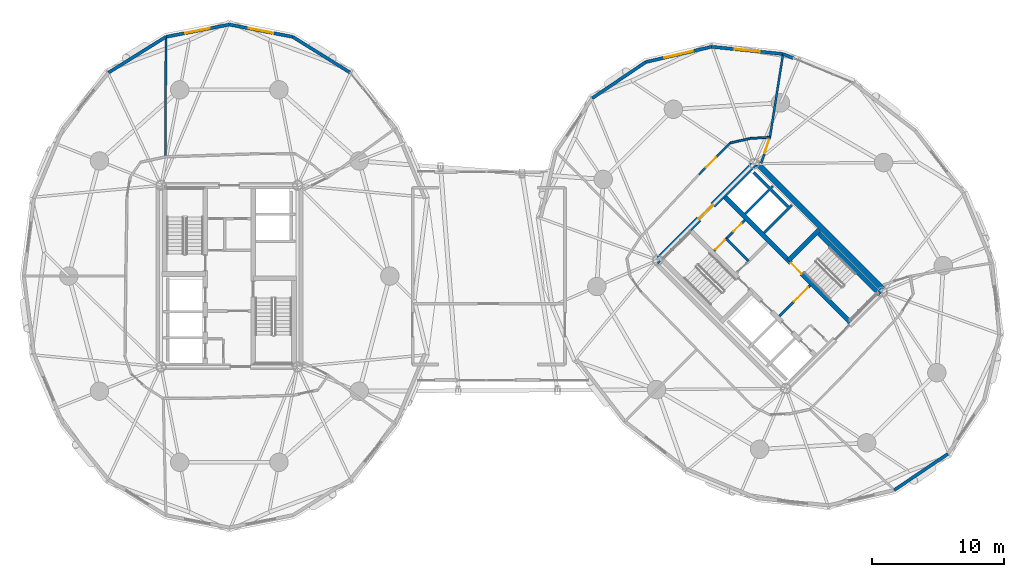
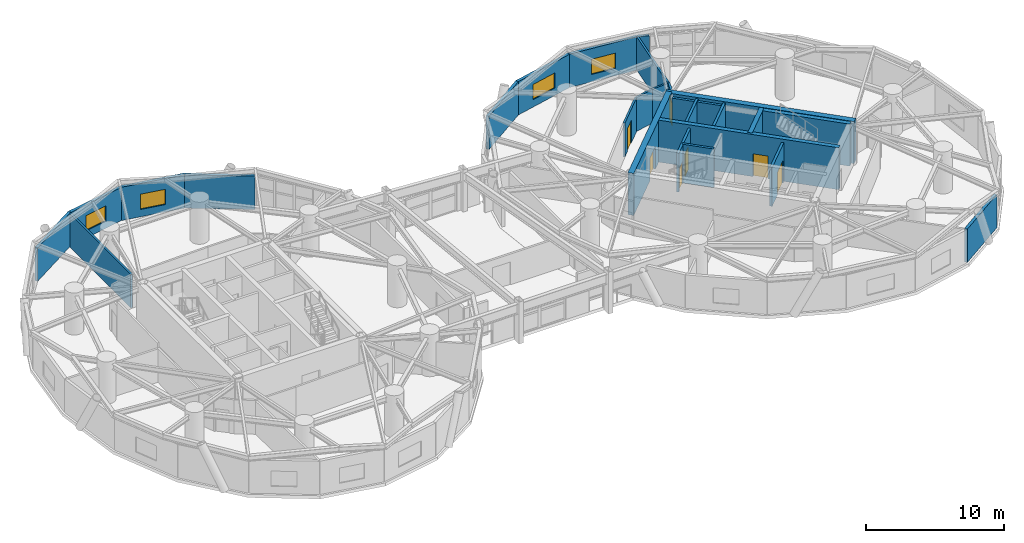
# One storey, part 16 of 19: 27 walls, 7 doors, 4 windows, 11 openings.
"""IFC4 building model written with IfcOpenShell, lengths in metres."""

from ifc_helpers import new_model, si_unit, direction, frame, frame_2d, origin, place, context, subcontext, project, spatial, rectangle, extrude, source, transform, mapped, material, layer, layer_set, type_object, element, fill, save


model = new_model("IFC4")

# Units and contexts
model_context = context("Model", 3, precision=1e-05, world=origin(), true_north=direction((0.0, 1.0)))
body_context = subcontext(model_context, "Body", "Model", "MODEL_VIEW")
ifc_project = project(units=[si_unit("LENGTHUNIT", "METRE"), si_unit("AREAUNIT", "SQUARE_METRE"), si_unit("VOLUMEUNIT", "CUBIC_METRE"), si_unit("PLANEANGLEUNIT", "RADIAN"), si_unit("MASSUNIT", "GRAM", prefix="KILO")], contexts=[model_context])

# Site, building, storey
site_placement = place(None, origin())
site = spatial("IfcSite", under=ifc_project, at=site_placement, CompositionType="ELEMENT")
building_placement = place(site_placement, origin())
building = spatial("IfcBuilding", under=site, at=building_placement, Name="Cununo Teusaquillo Station Towers", CompositionType="ELEMENT")
storey_placement = place(building_placement, frame((0.0, 0.0, 132.8798828125)))
storey = spatial("IfcBuildingStorey", under=building, at=storey_placement, Name="L42", CompositionType="ELEMENT", Elevation=132.8798828125)

# Walls
ifc_material_1 = material(Name="Concrete C50/60", Category="concrete")
ifc_layer_1 = layer(ifc_material_1, 0.199951171875)
ifc_layer_set_1 = layer_set([ifc_layer_1], Name="Concrete C50/60")
wall_type_1 = type_object("IfcWallType", Name="WL-CORE-200", PredefinedType="SHEAR", material=ifc_layer_set_1)
wall_1_placement = place(storey_placement, frame((57.0615234375, 27.781005859375, 0.0), z_axis=(0.0, 0.0, 1.0), x_axis=(0.707106781187, 0.707106781187, 0.0)))
element("IfcWall", 1, at=wall_1_placement, inside=storey, type_object=wall_type_1, Name="L42 Tower B Low-Rise Lift Hoistway South Shear Wall", PredefinedType="SHEAR", context=body_context, shape_type="SweptSolid", body=[
    extrude(rectangle(XDim=2.969970703125, YDim=0.199951171875, at=frame_2d((1.48486328125, 0.0))), origin(), (0.0, 0.0, 1.0), 3.72021484375),
])
wall_2_placement = place(storey_placement, frame((55.615478515625, 29.22705078125, 0.0), z_axis=(0.0, 0.0, 1.0), x_axis=(0.707147878904, 0.70706568108, 0.0)))
element("IfcWall", 2, at=wall_2_placement, inside=storey, type_object=wall_type_1, Name="L42 Tower B Low-Rise Lift Hoistway Divider Shear Wall", PredefinedType="SHEAR", context=body_context, shape_type="SweptSolid", body=[
    extrude(rectangle(XDim=2.97021484375, YDim=0.199951171875, at=frame_2d((1.485107421875, 0.0))), origin(), (0.0, 0.0, 1.0), 3.72021484375),
])
wall_3_placement = place(storey_placement, frame((58.86474609375, 29.75390625, 0.0), z_axis=(0.0, 0.0, 1.0), x_axis=(-0.707174411312, 0.707039144592, 0.0)))
element("IfcWall", 3, at=wall_3_placement, inside=storey, type_object=wall_type_1, Name="L42 Tower B Low-Rise Lift 1 Shaft Rear Shear Wall", PredefinedType="SHEAR", context=body_context, shape_type="SweptSolid", body=[
    extrude(rectangle(XDim=1.804931640625, YDim=0.199951171875, at=frame_2d((0.90234375, 0.0))), origin(), (0.0, 0.0, 1.0), 3.72021484375),
])
wall_4_placement = place(storey_placement, frame((57.418701171875, 31.19970703125, 0.0), z_axis=(0.0, 0.0, 1.0), x_axis=(-0.707032117043, 0.707181437447, 0.0)))
element("IfcWall", 4, at=wall_4_placement, inside=storey, type_object=wall_type_1, Name="L42 Tower B Low-Rise Lift 2 Shaft Rear Shear Wall", PredefinedType="SHEAR", context=body_context, shape_type="SweptSolid", body=[
    extrude(rectangle(XDim=1.635009765625, YDim=0.199951171875, at=frame_2d((0.8173828125, 0.0))), origin(), (0.0, 0.0, 1.0), 3.72021484375),
])

# Wall, opening, door
ifc_material_2 = material(Name="Concrete C50/60", Category="concrete")
ifc_layer_2 = layer(ifc_material_2, 0.35009765625)
ifc_layer_set_2 = layer_set([ifc_layer_2], Name="Concrete C50/60")
wall_type_2 = type_object("IfcWallType", Name="WL-CORE-350", PredefinedType="SHEAR", material=ifc_layer_set_2)
wall_5_placement = place(storey_placement, frame((63.644775390625, 20.922119140625, 0.0), z_axis=(0.0, 0.0, 1.0), x_axis=(-0.707106781187, 0.707106781187, 0.0)))
wall_5 = element("IfcWall", 5, at=wall_5_placement, inside=storey, type_object=wall_type_2, Name="L42 Tower B Core Shear Wall IE", PredefinedType="SHEAR", context=body_context, shape_type="SweptSolid", body=[
    extrude(rectangle(XDim=13.75, YDim=0.35009765625, at=frame_2d((6.875, 0.0))), origin(), (0.0, 0.0, 1.0), 3.72021484375),
])
shared_shape_1 = source(origin(), body_context, "Body", "SweptSolid", [
    extrude(rectangle(XDim=1.14990234375, YDim=2.02001953125, at=frame_2d((0.574951171875, 1.010009765625))), frame((0.0, 0.18505859375, 0.0), z_axis=(0.0, -1.0, 0.0), x_axis=(1.0, 0.0, 0.0)), (0.0, 0.0, 1.0), 0.3701171875),
])
opening_1_placement = place(wall_5_placement, frame((5.304931640625, 0.0, 0.0)))
opening_1 = element("IfcOpeningElement", 6, at=opening_1_placement, cuts=wall_5, Name="Opening D-ST1", PredefinedType="OPENING", context=body_context, shape_type="MappedRepresentation", body=[
    mapped(shared_shape_1, transform((0.0, 0.0, 0.0), x_axis=(1.0, 0.0, 0.0), y_axis=(0.0, 1.0, 0.0), z_axis=(0.0, 0.0, 1.0), scale=1.0)),
])
ifc_material_3 = material(Name="Galvanised fire-rated hollow steel door assembly", Category="steel")
door_type_1 = type_object("IfcDoorType", Name="DR-STAIR-1150", OperationType="NOTDEFINED", PredefinedType="DOOR", material=ifc_material_3)
shared_shape_2 = source(origin(), body_context, "Body", "SweptSolid", [
    extrude(rectangle(XDim=1.14990234375, YDim=2.02001953125, at=frame_2d((0.574951171875, 1.010009765625))), frame((0.0, 0.02490234375, 0.0), z_axis=(0.0, -1.0, 0.0), x_axis=(1.0, 0.0, 0.0)), (0.0, 0.0, 1.0), 0.050048828125),
])
door_1_placement = place(opening_1_placement, origin())
door_1 = element("IfcDoor", 7, at=door_1_placement, inside=storey, type_object=door_type_1, Name="L42 Tower B Exit Stair 2 Fire Door", OperationType="SINGLE_SWING_LEFT", OverallHeight=2.02001953125, OverallWidth=1.14990234375, PredefinedType="DOOR", context=body_context, shape_type="MappedRepresentation", body=[
    mapped(shared_shape_2, transform((0.0, 0.0, 0.0), x_axis=(1.0, 0.0, 0.0), y_axis=(0.0, 1.0, 0.0), z_axis=(0.0, 0.0, 1.0), scale=1.0)),
])
fill(opening_1, door_1)

# Walls
wall_6_placement = place(storey_placement, frame((65.82958984375, 23.10693359375, 0.0), z_axis=(0.0, 0.0, 1.0), x_axis=(-0.707088616009, 0.707124945897, 0.0)))
element("IfcWall", 8, at=wall_6_placement, inside=storey, type_object=wall_type_2, Name="L42 Tower B Core Shear Wall ST2E", PredefinedType="SHEAR", context=body_context, shape_type="SweptSolid", body=[
    extrude(rectangle(XDim=6.72021484375, YDim=0.35009765625, at=frame_2d((3.360107421875, 0.0))), origin(), (0.0, 0.0, 1.0), 3.72021484375),
])
wall_7_placement = place(storey_placement, frame((58.89306640625, 25.673828125, 0.0), z_axis=(0.0, 0.0, 1.0), x_axis=(0.707106781187, 0.707106781187, 0.0)))
element("IfcWall", 9, at=wall_7_placement, inside=storey, type_object=wall_type_2, Name="L42 Tower B Core Shear Wall ST2N", PredefinedType="SHEAR", context=body_context, shape_type="SweptSolid", body=[
    extrude(rectangle(XDim=3.284912109375, YDim=0.35009765625, at=frame_2d((1.642578125, 0.0))), origin(), (0.0, 0.0, 1.0), 3.72021484375),
])
ifc_material_4 = material(Name="Concrete C60/75", Category="concrete")
ifc_layer_3 = layer(ifc_material_4, 0.449951171875)
ifc_layer_set_3 = layer_set([ifc_layer_3], Name="Concrete C60/75")
wall_type_3 = type_object("IfcWallType", Name="WL-CORE-450", PredefinedType="SHEAR", material=ifc_layer_set_3)
wall_8_placement = place(storey_placement, frame((66.303466796875, 23.2626953125, 0.0), z_axis=(0.0, 0.0, 1.0), x_axis=(-0.707106781187, 0.707106781187, 0.0)))
element("IfcWall", 10, at=wall_8_placement, inside=storey, type_object=wall_type_3, Name="L42 Tower B Core Shear Wall E", PredefinedType="SHEAR", context=body_context, shape_type="SweptSolid", body=[
    extrude(rectangle(XDim=14.19970703125, YDim=0.449951171875, at=frame_2d((7.099853515625, 0.0))), origin(), (0.0, 0.0, 1.0), 3.72021484375),
])

# Wall, opening, door
wall_9_placement = place(storey_placement, frame((48.855712890625, 25.578369140625, 0.0), z_axis=(0.0, 0.0, 1.0), x_axis=(0.707106781187, 0.707106781187, 0.0)))
wall_9 = element("IfcWall", 11, at=wall_9_placement, inside=storey, type_object=wall_type_3, Name="L42 Tower B Core Shear Wall N", PredefinedType="SHEAR", context=body_context, shape_type="SweptSolid", body=[
    extrude(rectangle(XDim=10.69970703125, YDim=0.449951171875, at=frame_2d((5.349853515625, 0.0))), origin(), (0.0, 0.0, 1.0), 3.72021484375),
])
shared_shape_3 = source(origin(), body_context, "Body", "SweptSolid", [
    extrude(rectangle(XDim=1.5, YDim=2.02001953125, at=frame_2d((0.75, 1.010009765625))), frame((0.0, 0.23486328125, 0.0), z_axis=(0.0, -1.0, 0.0), x_axis=(1.0, 0.0, 0.0)), (0.0, 0.0, 1.0), 0.469970703125),
])
opening_2_placement = place(wall_9_placement, frame((4.60009765625, 0.0, 0.0)))
opening_2 = element("IfcOpeningElement", 12, at=opening_2_placement, cuts=wall_9, Name="Opening D-LB1", PredefinedType="OPENING", context=body_context, shape_type="MappedRepresentation", body=[
    mapped(shared_shape_3, transform((0.0, 0.0, 0.0), x_axis=(1.0, 0.0, 0.0), y_axis=(0.0, 1.0, 0.0), z_axis=(0.0, 0.0, 1.0), scale=1.0)),
])
ifc_material_5 = material(Name="Galvanised fire-rated hollow steel door assembly", Category="steel")
door_type_2 = type_object("IfcDoorType", Name="DR-LOBBY-1500", OperationType="DOUBLE_DOOR_SINGLE_SWING", PredefinedType="DOOR", material=ifc_material_5)
shared_shape_4 = source(origin(), body_context, "Body", "SweptSolid", [
    extrude(rectangle(XDim=1.5, YDim=2.02001953125, at=frame_2d((0.75, 1.010009765625))), frame((0.0, 0.02490234375, 0.0), z_axis=(0.0, -1.0, 0.0), x_axis=(1.0, 0.0, 0.0)), (0.0, 0.0, 1.0), 0.050048828125),
])
door_2_placement = place(opening_2_placement, origin())
door_2 = element("IfcDoor", 13, at=door_2_placement, inside=storey, type_object=door_type_2, Name="L42 Tower B North Core Lift Lobby Door", OperationType="DOUBLE_DOOR_SINGLE_SWING", OverallHeight=2.02001953125, OverallWidth=1.5, PredefinedType="DOOR", context=body_context, shape_type="MappedRepresentation", body=[
    mapped(shared_shape_4, transform((0.0, 0.0, 0.0), x_axis=(1.0, 0.0, 0.0), y_axis=(0.0, 1.0, 0.0), z_axis=(0.0, 0.0, 1.0), scale=1.0)),
])
fill(opening_2, door_2)

# Wall
ifc_material_6 = material(Name="Precast concrete C40/50", Category="concrete")
ifc_layer_4 = layer(ifc_material_6, 0.239990234375)
ifc_layer_set_4 = layer_set([ifc_layer_4], Name="Precast concrete C40/50")
wall_type_4 = type_object("IfcWallType", Name="WL-EXT-240", PredefinedType="SOLIDWALL", material=ifc_layer_set_4)
wall_10_placement = place(storey_placement, frame((21.314697265625, 42.63671875, 0.0), z_axis=(0.0, 0.0, 1.0), x_axis=(0.848520380187, -0.529162701263, 0.0)))
element("IfcWall", 14, at=wall_10_placement, inside=storey, type_object=wall_type_4, Name="L42 Tower A Exterior Facade Wall C03", PredefinedType="SOLIDWALL", context=body_context, shape_type="SweptSolid", body=[
    extrude(rectangle(XDim=5.118896484375, YDim=0.239990234375, at=frame_2d((2.5595703125, 0.0))), origin(), (0.0, 0.0, 1.0), 2.94921875),
])

# Wall, opening, window
wall_11_placement = place(storey_placement, frame((16.5, 43.570068359375, 0.0), z_axis=(0.0, 0.0, 1.0), x_axis=(0.981723785992, -0.190311344954, 0.0)))
wall_11 = element("IfcWall", 15, at=wall_11_placement, inside=storey, type_object=wall_type_4, Name="L42 Tower A Exterior Facade Wall C04", PredefinedType="SOLIDWALL", context=body_context, shape_type="SweptSolid", body=[
    extrude(rectangle(XDim=4.904296875, YDim=0.239990234375, at=frame_2d((2.4521484375, 0.0))), origin(), (0.0, 0.0, 1.0), 2.94921875),
])
shared_shape_5 = source(origin(), body_context, "Body", "SweptSolid", [
    extrude(rectangle(XDim=1.89990234375, YDim=1.35009765625, at=frame_2d((0.949951171875, 0.675048828125))), frame((0.0, 0.1298828125, 0.0), z_axis=(0.0, -1.0, 0.0), x_axis=(1.0, 0.0, 0.0)), (0.0, 0.0, 1.0), 0.260009765625),
])
opening_3_placement = place(wall_11_placement, frame((1.501953125, 0.0, 0.64990234375)))
opening_3 = element("IfcOpeningElement", 16, at=opening_3_placement, cuts=wall_11, Name="Opening WN-02", PredefinedType="OPENING", context=body_context, shape_type="MappedRepresentation", body=[
    mapped(shared_shape_5, transform((0.0, 0.0, 0.0), x_axis=(1.0, 0.0, 0.0), y_axis=(0.0, 1.0, 0.0), z_axis=(0.0, 0.0, 1.0), scale=1.0)),
])
ifc_material_7 = material(Name="Operable acoustic tinted low-E double glazing", Category="glass")
window_type_1 = type_object("IfcWindowType", Name="WIN-OPER-1900", PartitioningType="DOUBLE_PANEL_VERTICAL", PredefinedType="WINDOW", material=ifc_material_7)
shared_shape_6 = source(origin(), body_context, "Body", "SweptSolid", [
    extrude(rectangle(XDim=1.89990234375, YDim=1.35009765625, at=frame_2d((0.949951171875, 0.675048828125))), frame((0.0, 0.030029296875, 0.0), z_axis=(0.0, -1.0, 0.0), x_axis=(1.0, 0.0, 0.0)), (0.0, 0.0, 1.0), 0.06005859375),
])
window_1_placement = place(opening_3_placement, origin())
window_1 = element("IfcWindow", 17, at=window_1_placement, inside=storey, type_object=window_type_1, Name="L42 Tower A Facade Window C04", OverallHeight=1.35009765625, OverallWidth=1.89990234375, PartitioningType="DOUBLE_PANEL_VERTICAL", PredefinedType="WINDOW", context=body_context, shape_type="MappedRepresentation", body=[
    mapped(shared_shape_6, transform((0.0, 0.0, 0.0), x_axis=(1.0, 0.0, 0.0), y_axis=(0.0, 1.0, 0.0), z_axis=(0.0, 0.0, 1.0), scale=1.0)),
])
fill(opening_3, window_1)

wall_12_placement = place(storey_placement, frame((11.685302734375, 42.63671875, 0.0), z_axis=(0.0, 0.0, 1.0), x_axis=(0.981723785992, 0.190311344954, 0.0)))
wall_12 = element("IfcWall", 18, at=wall_12_placement, inside=storey, type_object=wall_type_4, Name="L42 Tower A Exterior Facade Wall C05", PredefinedType="SOLIDWALL", context=body_context, shape_type="SweptSolid", body=[
    extrude(rectangle(XDim=4.904296875, YDim=0.239990234375, at=frame_2d((2.4521484375, 0.0))), origin(), (0.0, 0.0, 1.0), 2.94921875),
])
opening_4_placement = place(wall_12_placement, frame((1.501953125, 0.0, 0.64990234375)))
opening_4 = element("IfcOpeningElement", 19, at=opening_4_placement, cuts=wall_12, Name="Opening WN-02", PredefinedType="OPENING", context=body_context, shape_type="MappedRepresentation", body=[
    mapped(shared_shape_5, transform((0.0, 0.0, 0.0), x_axis=(1.0, 0.0, 0.0), y_axis=(0.0, 1.0, 0.0), z_axis=(0.0, 0.0, 1.0), scale=1.0)),
])
window_2_placement = place(opening_4_placement, origin())
window_2 = element("IfcWindow", 20, at=window_2_placement, inside=storey, type_object=window_type_1, Name="L42 Tower A Facade Window C05", OverallHeight=1.35009765625, OverallWidth=1.89990234375, PartitioningType="DOUBLE_PANEL_VERTICAL", PredefinedType="WINDOW", context=body_context, shape_type="MappedRepresentation", body=[
    mapped(shared_shape_6, transform((0.0, 0.0, 0.0), x_axis=(1.0, 0.0, 0.0), y_axis=(0.0, 1.0, 0.0), z_axis=(0.0, 0.0, 1.0), scale=1.0)),
])
fill(opening_4, window_2)

# Walls
wall_13_placement = place(storey_placement, frame((7.341796875, 39.927978515625, 0.0), z_axis=(0.0, 0.0, 1.0), x_axis=(0.848520380187, 0.529162701263, 0.0)))
element("IfcWall", 21, at=wall_13_placement, inside=storey, type_object=wall_type_4, Name="L42 Tower A Exterior Facade Wall C06", PredefinedType="SOLIDWALL", context=body_context, shape_type="SweptSolid", body=[
    extrude(rectangle(XDim=5.118896484375, YDim=0.239990234375, at=frame_2d((2.5595703125, 0.0))), origin(), (0.0, 0.0, 1.0), 2.94921875),
])
wall_14_placement = place(storey_placement, frame((58.4873046875, 41.33935546875, 0.0), z_axis=(0.0, 0.0, 1.0), x_axis=(0.924556017656, -0.381046152345, 0.0)))
element("IfcWall", 22, at=wall_14_placement, inside=storey, type_object=wall_type_4, Name="L42 Tower B Column Pier Cladding Wall C01-PA", PredefinedType="SOLIDWALL", context=body_context, shape_type="SweptSolid", body=[
    extrude(rectangle(XDim=0.8701171875, YDim=0.239990234375, at=frame_2d((0.43505859375, 0.0))), origin(), (0.0, 0.0, 1.0), 2.94921875),
])

# Wall, opening, window
wall_15_placement = place(storey_placement, frame((53.066650390625, 41.885009765625, 0.0), z_axis=(0.0, 0.0, 1.0), x_axis=(0.994971754311, -0.10015591906, 0.0)))
wall_15 = element("IfcWall", 23, at=wall_15_placement, inside=storey, type_object=wall_type_4, Name="L42 Tower B Exterior Facade Wall C02", PredefinedType="SOLIDWALL", context=body_context, shape_type="SweptSolid", body=[
    extrude(rectangle(XDim=5.447998046875, YDim=0.239990234375, at=frame_2d((2.72412109375, 0.0))), origin(), (0.0, 0.0, 1.0), 2.94921875),
])
opening_5_placement = place(wall_15_placement, frame((1.77392578125, 0.0, 0.64990234375)))
opening_5 = element("IfcOpeningElement", 24, at=opening_5_placement, cuts=wall_15, Name="Opening WN-02", PredefinedType="OPENING", context=body_context, shape_type="MappedRepresentation", body=[
    mapped(shared_shape_5, transform((0.0, 0.0, 0.0), x_axis=(1.0, 0.0, 0.0), y_axis=(0.0, 1.0, 0.0), z_axis=(0.0, 0.0, 1.0), scale=1.0)),
])
window_3_placement = place(opening_5_placement, origin())
window_3 = element("IfcWindow", 25, at=window_3_placement, inside=storey, type_object=window_type_1, Name="L42 Tower B Facade Window C02", OverallHeight=1.35009765625, OverallWidth=1.89990234375, PartitioningType="DOUBLE_PANEL_VERTICAL", PredefinedType="WINDOW", context=body_context, shape_type="MappedRepresentation", body=[
    mapped(shared_shape_6, transform((0.0, 0.0, 0.0), x_axis=(1.0, 0.0, 0.0), y_axis=(0.0, 1.0, 0.0), z_axis=(0.0, 0.0, 1.0), scale=1.0)),
])
fill(opening_5, window_3)

wall_16_placement = place(storey_placement, frame((48.080078125, 40.72900390625, 0.0), z_axis=(0.0, 0.0, 1.0), x_axis=(0.974165631126, 0.225834725257, 0.0)))
wall_16 = element("IfcWall", 26, at=wall_16_placement, inside=storey, type_object=wall_type_4, Name="L42 Tower B Exterior Facade Wall C03", PredefinedType="SOLIDWALL", context=body_context, shape_type="SweptSolid", body=[
    extrude(rectangle(XDim=5.118896484375, YDim=0.239990234375, at=frame_2d((2.5595703125, 0.0))), origin(), (0.0, 0.0, 1.0), 2.94921875),
])
shared_shape_7 = source(origin(), body_context, "Body", "SweptSolid", [
    extrude(rectangle(XDim=2.199951171875, YDim=1.35009765625, at=frame_2d((1.10009765625, 0.675048828125))), frame((0.0, 0.1298828125, 0.0), z_axis=(0.0, -1.0, 0.0), x_axis=(1.0, 0.0, 0.0)), (0.0, 0.0, 1.0), 0.260009765625),
])
opening_6_placement = place(wall_16_placement, frame((1.458984375, 0.0, 0.64990234375)))
opening_6 = element("IfcOpeningElement", 27, at=opening_6_placement, cuts=wall_16, Name="Opening WN-01", PredefinedType="OPENING", context=body_context, shape_type="MappedRepresentation", body=[
    mapped(shared_shape_7, transform((0.0, 0.0, 0.0), x_axis=(1.0, 0.0, 0.0), y_axis=(0.0, 1.0, 0.0), z_axis=(0.0, 0.0, 1.0), scale=1.0)),
])
ifc_material_8 = material(Name="Ceramic-fritted dark low-E double glazing", Category="glass")
window_type_2 = type_object("IfcWindowType", Name="WIN-FRIT-2200", PartitioningType="DOUBLE_PANEL_VERTICAL", PredefinedType="WINDOW", material=ifc_material_8)
shared_shape_8 = source(origin(), body_context, "Body", "SweptSolid", [
    extrude(rectangle(XDim=2.199951171875, YDim=1.35009765625, at=frame_2d((1.10009765625, 0.675048828125))), frame((0.0, 0.030029296875, 0.0), z_axis=(0.0, -1.0, 0.0), x_axis=(1.0, 0.0, 0.0)), (0.0, 0.0, 1.0), 0.06005859375),
])
window_4_placement = place(opening_6_placement, origin())
window_4 = element("IfcWindow", 28, at=window_4_placement, inside=storey, type_object=window_type_2, Name="L42 Tower B Facade Window C03", OverallHeight=1.35009765625, OverallWidth=2.199951171875, PartitioningType="DOUBLE_PANEL_VERTICAL", PredefinedType="WINDOW", context=body_context, shape_type="MappedRepresentation", body=[
    mapped(shared_shape_8, transform((0.0, 0.0, 0.0), x_axis=(1.0, 0.0, 0.0), y_axis=(0.0, 1.0, 0.0), z_axis=(0.0, 0.0, 1.0), scale=1.0)),
])
fill(opening_6, window_4)

# Walls
for number, where, z_axis, x_axis, name in (
    (29, (44.015380859375, 37.984619140625, 0.0), (0.0, 0.0, 1.0), (0.828781148131, 0.559572880421, 0.0), "L42 Tower B Exterior Facade Wall C04"),
    (30, (70.984619140625, 11.015380859375, 0.0), (0.0, 0.0, 1.0), (-0.828781148131, -0.559572880421, 0.0), "L42 Tower B Exterior Facade Wall C14"),
):
    element("IfcWall", number, at=place(storey_placement, frame(where, z_axis=z_axis, x_axis=x_axis)), inside=storey, type_object=wall_type_4, Name=name, PredefinedType="SOLIDWALL", context=body_context, shape_type="SweptSolid", body=[
        extrude(rectangle(XDim=4.904541015625, YDim=0.239990234375, at=frame_2d((2.4521484375, 0.0))), origin(), (0.0, 0.0, 1.0), 2.94921875),
    ])
ifc_material_9 = material(Name="Fire-rated gypsum plasterboard partition assembly", Category="gypsum")
ifc_layer_5 = layer(ifc_material_9, 0.14990234375)
ifc_layer_set_5 = layer_set([ifc_layer_5], Name="Fire-rated gypsum plasterboard partition assembly")
wall_type_5 = type_object("IfcWallType", Name="WL-PART-150", PredefinedType="PARTITIONING", material=ifc_layer_set_5)
wall_17_placement = place(storey_placement, frame((57.49072265625, 35.021484375, 0.0), z_axis=(0.0, 0.0, 1.0), x_axis=(-0.9985194771, -0.054395347698, 0.0)))
element("IfcWall", 31, at=wall_17_placement, inside=storey, type_object=wall_type_5, Name="L42 Tower B Corridor Ring Wall C02", PredefinedType="PARTITIONING", context=body_context, shape_type="SweptSolid", body=[
    extrude(rectangle(XDim=1.47216796875, YDim=0.14990234375, at=frame_2d((0.736083984375, 0.0))), origin(), (0.0, 0.0, 1.0), 2.9951171875),
])
wall_18_placement = place(storey_placement, frame((56.020751953125, 34.94140625, 0.0), z_axis=(0.0, 0.0, 1.0), x_axis=(-0.975309543901, -0.220842236847, 0.0)))
element("IfcWall", 32, at=wall_18_placement, inside=storey, type_object=wall_type_5, Name="L42 Tower B Corridor Ring Wall C03", PredefinedType="PARTITIONING", context=body_context, shape_type="SweptSolid", body=[
    extrude(rectangle(XDim=1.585205078125, YDim=0.14990234375, at=frame_2d((0.79248046875, 0.0))), origin(), (0.0, 0.0, 1.0), 2.9951171875),
])

# Wall, opening, door
wall_19_placement = place(storey_placement, frame((54.474609375, 34.59130859375, 0.0), z_axis=(0.0, 0.0, 1.0), x_axis=(-0.703869646439, -0.710329163714, 0.0)))
wall_19 = element("IfcWall", 33, at=wall_19_placement, inside=storey, type_object=wall_type_5, Name="L42 Tower B Corridor Ring Wall C04", PredefinedType="PARTITIONING", context=body_context, shape_type="SweptSolid", body=[
    extrude(rectangle(XDim=3.36376953125, YDim=0.14990234375, at=frame_2d((1.681884765625, 0.0))), origin(), (0.0, 0.0, 1.0), 2.9951171875),
])
shared_shape_9 = source(origin(), body_context, "Body", "SweptSolid", [
    extrude(rectangle(XDim=1.050048828125, YDim=2.014892578125, at=frame_2d((0.52490234375, 1.00732421875))), frame((0.0, 0.0849609375, 0.0), z_axis=(0.0, -1.0, 0.0), x_axis=(1.0, 0.0, 0.0)), (0.0, 0.0, 1.0), 0.169921875),
])
opening_7_placement = place(wall_19_placement, frame((1.545654296875, 0.0, 0.0)))
opening_7 = element("IfcOpeningElement", 34, at=opening_7_placement, cuts=wall_19, Name="Opening D-SU1", PredefinedType="OPENING", context=body_context, shape_type="MappedRepresentation", body=[
    mapped(shared_shape_9, transform((0.0, 0.0, 0.0), x_axis=(1.0, 0.0, 0.0), y_axis=(0.0, 1.0, 0.0), z_axis=(0.0, 0.0, 1.0), scale=1.0)),
])
ifc_material_10 = material(Name="Acoustic solid-core hardwood leaf assembly", Category="wood")
door_type_3 = type_object("IfcDoorType", Name="DR-SUITE-1050", OperationType="NOTDEFINED", PredefinedType="DOOR", material=ifc_material_10)
shared_shape_10 = source(origin(), body_context, "Body", "SweptSolid", [
    extrude(rectangle(XDim=1.050048828125, YDim=2.014892578125, at=frame_2d((0.52490234375, 1.00732421875))), frame((0.0, 0.02490234375, 0.0), z_axis=(0.0, -1.0, 0.0), x_axis=(1.0, 0.0, 0.0)), (0.0, 0.0, 1.0), 0.050048828125),
])
door_3_placement = place(opening_7_placement, origin())
door_3 = element("IfcDoor", 35, at=door_3_placement, inside=storey, type_object=door_type_3, Name="L42 Tower B Panoramic Conservatory Dining Hall Entrance Door", OperationType="SINGLE_SWING_RIGHT", OverallHeight=2.014892578125, OverallWidth=1.050048828125, PredefinedType="DOOR", context=body_context, shape_type="MappedRepresentation", body=[
    mapped(shared_shape_10, transform((0.0, 0.0, 0.0), x_axis=(1.0, 0.0, 0.0), y_axis=(0.0, 1.0, 0.0), z_axis=(0.0, 0.0, 1.0), scale=1.0)),
])
fill(opening_7, door_3)

# Walls
ifc_material_11 = material(Name="Fire-rated gypsum plasterboard partition assembly", Category="gypsum")
ifc_layer_6 = layer(ifc_material_11, 0.159912109375)
ifc_layer_set_6 = layer_set([ifc_layer_6], Name="Fire-rated gypsum plasterboard partition assembly")
wall_type_6 = type_object("IfcWallType", Name="WL-PART-160", PredefinedType="PARTITIONING", material=ifc_layer_set_6)
wall_20_placement = place(storey_placement, frame((11.650390625, 33.53857421875, 0.0), z_axis=(0.0, 0.0, 1.0), x_axis=(0.00451754022, 0.999989795863, 0.0)))
element("IfcWall", 36, at=wall_20_placement, inside=storey, type_object=wall_type_6, Name="L42 Tower A Radial Suite Partition R02", PredefinedType="PARTITIONING", context=body_context, shape_type="SweptSolid", body=[
    extrude(rectangle(XDim=9.0791015625, YDim=0.159912109375, at=frame_2d((4.53955078125, 0.0))), origin(), (0.0, 0.0, 1.0), 2.94921875),
])
wall_21_placement = place(storey_placement, frame((57.49072265625, 35.021484375, 0.0), z_axis=(0.0, 0.0, 1.0), x_axis=(0.155805268746, 0.98778779008, 0.0)))
element("IfcWall", 37, at=wall_21_placement, inside=storey, type_object=wall_type_6, Name="L42 Tower B Radial Suite Partition R01", PredefinedType="PARTITIONING", context=body_context, shape_type="SweptSolid", body=[
    extrude(rectangle(XDim=6.3759765625, YDim=0.159912109375, at=frame_2d((3.18798828125, 0.0))), origin(), (0.0, 0.0, 1.0), 2.94921875),
])

# Wall, opening, door
wall_22_placement = place(storey_placement, frame((56.828125, 33.055908203125, 0.0), z_axis=(0.0, 0.0, 1.0), x_axis=(0.319439175969, 0.94760678177, 0.0)))
wall_22 = element("IfcWall", 38, at=wall_22_placement, inside=storey, type_object=wall_type_6, Name="L42 Tower B East Salon Corridor Portal Wall NE", PredefinedType="PARTITIONING", context=body_context, shape_type="SweptSolid", body=[
    extrude(rectangle(XDim=2.07421875, YDim=0.159912109375, at=frame_2d((1.037109375, 0.0))), origin(), (0.0, 0.0, 1.0), 2.9951171875),
])
shared_shape_11 = source(origin(), body_context, "Body", "SweptSolid", [
    extrude(rectangle(XDim=1.050048828125, YDim=2.014892578125, at=frame_2d((0.52490234375, 1.00732421875))), frame((0.0, 0.08984375, 0.0), z_axis=(0.0, -1.0, 0.0), x_axis=(1.0, 0.0, 0.0)), (0.0, 0.0, 1.0), 0.179931640625),
])
opening_8_placement = place(wall_22_placement, frame((0.82421875, 0.0, 0.0)))
opening_8 = element("IfcOpeningElement", 39, at=opening_8_placement, cuts=wall_22, Name="Opening D-SU1", PredefinedType="OPENING", context=body_context, shape_type="MappedRepresentation", body=[
    mapped(shared_shape_11, transform((0.0, 0.0, 0.0), x_axis=(1.0, 0.0, 0.0), y_axis=(0.0, 1.0, 0.0), z_axis=(0.0, 0.0, 1.0), scale=1.0)),
])
door_4_placement = place(opening_8_placement, origin())
door_4 = element("IfcDoor", 40, at=door_4_placement, inside=storey, type_object=door_type_3, Name="L42 Tower B East Panorama Sky Salon Door NE", OperationType="SINGLE_SWING_RIGHT", OverallHeight=2.014892578125, OverallWidth=1.050048828125, PredefinedType="DOOR", context=body_context, shape_type="MappedRepresentation", body=[
    mapped(shared_shape_10, transform((0.0, 0.0, 0.0), x_axis=(1.0, 0.0, 0.0), y_axis=(0.0, 1.0, 0.0), z_axis=(0.0, 0.0, 1.0), scale=1.0)),
])
fill(opening_8, door_4)

ifc_material_12 = material(Name="Fire-rated gypsum plasterboard partition assembly", Category="gypsum")
ifc_layer_7 = layer(ifc_material_12, 0.199951171875)
ifc_layer_set_7 = layer_set([ifc_layer_7], Name="Fire-rated gypsum plasterboard partition assembly")
wall_type_7 = type_object("IfcWallType", Name="WL-PART-200", PredefinedType="PARTITIONING", material=ifc_layer_set_7)
wall_23_placement = place(storey_placement, frame((58.214111328125, 21.466552734375, 0.0), z_axis=(0.0, 0.0, 1.0), x_axis=(0.707106781187, 0.707106781187, 0.0)))
wall_23 = element("IfcWall", 41, at=wall_23_placement, inside=storey, type_object=wall_type_7, Name="L42 Tower B Firefighting Lift Lobby South Fire Wall", PredefinedType="PARTITIONING", context=body_context, shape_type="SweptSolid", body=[
    extrude(rectangle(XDim=3.280029296875, YDim=0.199951171875, at=frame_2d((1.64013671875, 0.0))), origin(), (0.0, 0.0, 1.0), 3.425048828125),
])
shared_shape_12 = source(origin(), body_context, "Body", "SweptSolid", [
    extrude(rectangle(XDim=1.5, YDim=2.02001953125, at=frame_2d((0.75, 1.010009765625))), frame((0.0, 0.10986328125, 0.0), z_axis=(0.0, -1.0, 0.0), x_axis=(1.0, 0.0, 0.0)), (0.0, 0.0, 1.0), 0.219970703125),
])
opening_9_placement = place(wall_23_placement, frame((1.550048828125, 0.0, 0.0)))
opening_9 = element("IfcOpeningElement", 42, at=opening_9_placement, cuts=wall_23, Name="Opening D-LB1", PredefinedType="OPENING", context=body_context, shape_type="MappedRepresentation", body=[
    mapped(shared_shape_12, transform((0.0, 0.0, 0.0), x_axis=(1.0, 0.0, 0.0), y_axis=(0.0, 1.0, 0.0), z_axis=(0.0, 0.0, 1.0), scale=1.0)),
])
door_5_placement = place(opening_9_placement, origin())
door_5 = element("IfcDoor", 43, at=door_5_placement, inside=storey, type_object=door_type_2, Name="L42 Tower B Firefighting Lift Lobby South Fire Door", OperationType="DOUBLE_DOOR_SINGLE_SWING", OverallHeight=2.02001953125, OverallWidth=1.5, PredefinedType="DOOR", context=body_context, shape_type="MappedRepresentation", body=[
    mapped(shared_shape_4, transform((0.0, 0.0, 0.0), x_axis=(1.0, 0.0, 0.0), y_axis=(0.0, 1.0, 0.0), z_axis=(0.0, 0.0, 1.0), scale=1.0)),
])
fill(opening_9, door_5)

# Wall
wall_24_placement = place(storey_placement, frame((55.873779296875, 25.63134765625, 0.0), z_axis=(0.0, 0.0, 1.0), x_axis=(-0.707157639372, 0.707055919343, 0.0)))
element("IfcWall", 44, at=wall_24_placement, inside=storey, type_object=wall_type_7, Name="L42 Tower B Stair 1 Vestibule Partition Wall", PredefinedType="PARTITIONING", context=body_context, shape_type="SweptSolid", body=[
    extrude(rectangle(XDim=2.400146484375, YDim=0.199951171875, at=frame_2d((1.2001953125, 0.0))), origin(), (0.0, 0.0, 1.0), 3.425048828125),
])

# Wall, openings, doors
wall_25_placement = place(storey_placement, frame((53.264404296875, 26.416259765625, 0.0), z_axis=(0.0, 0.0, 1.0), x_axis=(0.707106781187, 0.707106781187, 0.0)))
wall_25 = element("IfcWall", 45, at=wall_25_placement, inside=storey, type_object=wall_type_7, Name="L42 Tower B North Lift Lobby South Fire Wall", PredefinedType="PARTITIONING", context=body_context, shape_type="SweptSolid", body=[
    extrude(rectangle(XDim=3.280029296875, YDim=0.199951171875, at=frame_2d((1.64013671875, 0.0))), origin(), (0.0, 0.0, 1.0), 3.425048828125),
])
shared_shape_13 = source(origin(), body_context, "Body", "SweptSolid", [
    extrude(rectangle(XDim=1.0, YDim=2.014892578125, at=frame_2d((0.5, 1.00732421875))), frame((0.0, 0.10986328125, 0.0), z_axis=(0.0, -1.0, 0.0), x_axis=(1.0, 0.0, 0.0)), (0.0, 0.0, 1.0), 0.219970703125),
])
opening_10_placement = place(wall_25_placement, frame((0.139892578125, 0.0, 0.0)))
opening_10 = element("IfcOpeningElement", 46, at=opening_10_placement, cuts=wall_25, Name="Opening D-AC1", PredefinedType="OPENING", context=body_context, shape_type="MappedRepresentation", body=[
    mapped(shared_shape_13, transform((0.0, 0.0, 0.0), x_axis=(1.0, 0.0, 0.0), y_axis=(0.0, 1.0, 0.0), z_axis=(0.0, 0.0, 1.0), scale=1.0)),
])
shared_shape_14 = source(origin(), body_context, "Body", "SweptSolid", [
    extrude(rectangle(XDim=0.89990234375, YDim=2.0048828125, at=frame_2d((0.449951171875, 1.00244140625))), frame((0.0, 0.10986328125, 0.0), z_axis=(0.0, -1.0, 0.0), x_axis=(1.0, 0.0, 0.0)), (0.0, 0.0, 1.0), 0.219970703125),
])
opening_11_placement = place(wall_25_placement, frame((2.050048828125, 0.0, 0.0)))
opening_11 = element("IfcOpeningElement", 47, at=opening_11_placement, cuts=wall_25, Name="Opening D-SR1", PredefinedType="OPENING", context=body_context, shape_type="MappedRepresentation", body=[
    mapped(shared_shape_14, transform((0.0, 0.0, 0.0), x_axis=(1.0, 0.0, 0.0), y_axis=(0.0, 1.0, 0.0), z_axis=(0.0, 0.0, 1.0), scale=1.0)),
])
ifc_material_13 = material(Name="Galvanised fire-rated hollow steel door assembly", Category="steel")
door_type_4 = type_object("IfcDoorType", Name="DR-STORE-900", OperationType="NOTDEFINED", PredefinedType="DOOR", material=ifc_material_13)
shared_shape_15 = source(origin(), body_context, "Body", "SweptSolid", [
    extrude(rectangle(XDim=0.89990234375, YDim=2.0048828125, at=frame_2d((0.449951171875, 1.00244140625))), frame((0.0, 0.02490234375, 0.0), z_axis=(0.0, -1.0, 0.0), x_axis=(1.0, 0.0, 0.0)), (0.0, 0.0, 1.0), 0.050048828125),
])
door_6_placement = place(opening_11_placement, origin())
door_6 = element("IfcDoor", 48, at=door_6_placement, inside=storey, type_object=door_type_4, Name="L42 Tower B Core Housekeeping & Linen Store Door", OperationType="SINGLE_SWING_LEFT", OverallHeight=2.0048828125, OverallWidth=0.89990234375, PredefinedType="DOOR", context=body_context, shape_type="MappedRepresentation", body=[
    mapped(shared_shape_15, transform((0.0, 0.0, 0.0), x_axis=(1.0, 0.0, 0.0), y_axis=(0.0, 1.0, 0.0), z_axis=(0.0, 0.0, 1.0), scale=1.0)),
])
fill(opening_11, door_6)
ifc_material_14 = material(Name="Acoustic solid-core hardwood leaf assembly", Category="wood")
door_type_5 = type_object("IfcDoorType", Name="DR-ACC-1000", OperationType="NOTDEFINED", PredefinedType="DOOR", material=ifc_material_14)
shared_shape_16 = source(origin(), body_context, "Body", "SweptSolid", [
    extrude(rectangle(XDim=1.0, YDim=2.014892578125, at=frame_2d((0.5, 1.00732421875))), frame((0.0, 0.02490234375, 0.0), z_axis=(0.0, -1.0, 0.0), x_axis=(1.0, 0.0, 0.0)), (0.0, 0.0, 1.0), 0.050048828125),
])
door_7_placement = place(opening_10_placement, origin())
door_7 = element("IfcDoor", 49, at=door_7_placement, inside=storey, type_object=door_type_5, Name="L42 Tower B North Lift Lobby to Stair 1 Vestibule Door", OperationType="SINGLE_SWING_LEFT", OverallHeight=2.014892578125, OverallWidth=1.0, PredefinedType="DOOR", context=body_context, shape_type="MappedRepresentation", body=[
    mapped(shared_shape_16, transform((0.0, 0.0, 0.0), x_axis=(1.0, 0.0, 0.0), y_axis=(0.0, 1.0, 0.0), z_axis=(0.0, 0.0, 1.0), scale=1.0)),
])
fill(opening_10, door_7)

save(model, "model.ifc")
